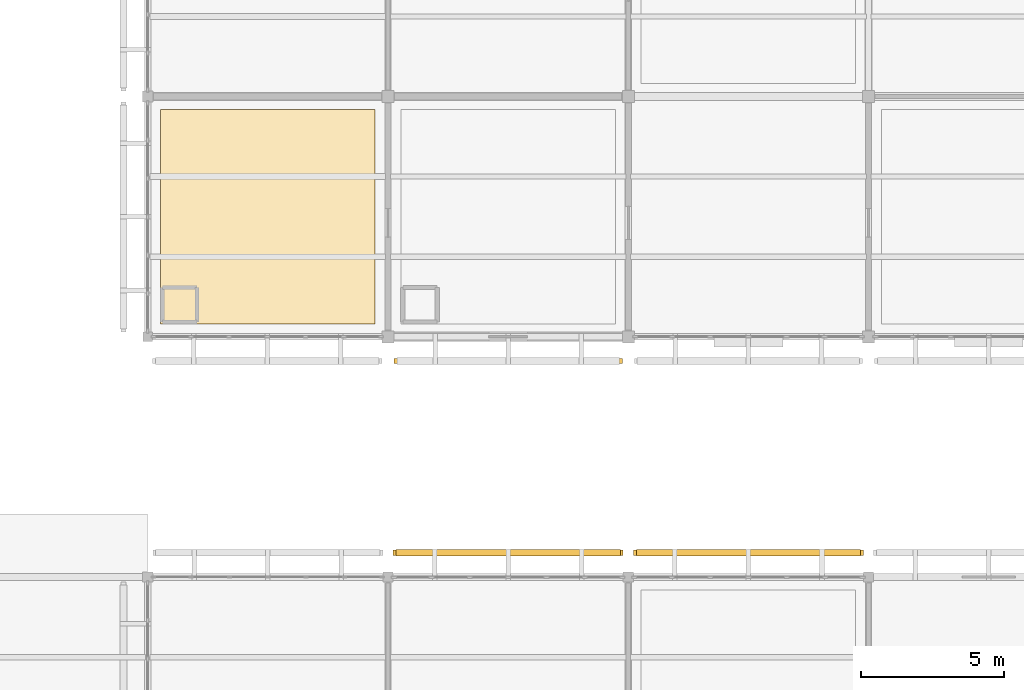
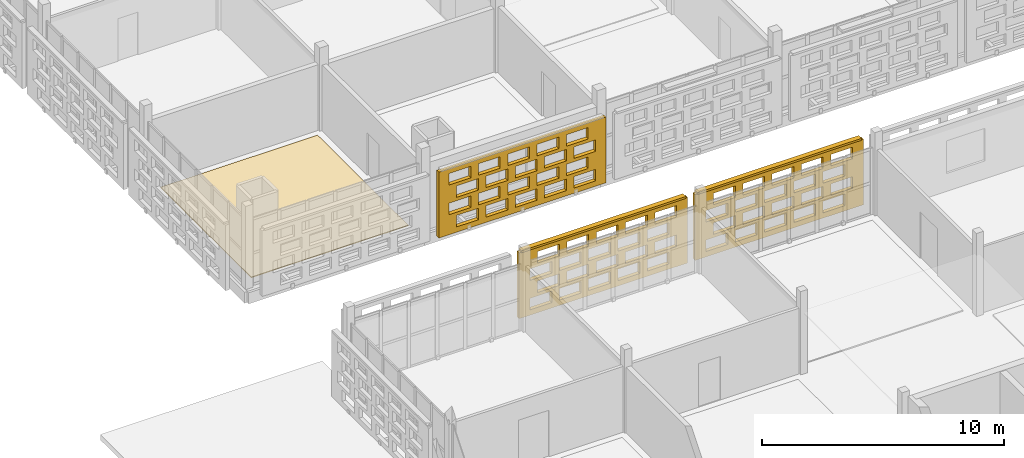
# One storey, part 156 of 166: 4 coverings, 2 shading devices, 60 openings.
"""IFC4 building model written with IfcOpenShell, lengths in metres."""

from ifc_helpers import new_model, si_unit, direction, frame, frame_2d, origin, origin_2d, place, context, subcontext, project, spatial, rectangle, extrude, material, layer, layer_set, type_object, element, save


model = new_model("IFC4")

# Units and contexts
model_context = context("Model", 3, precision=1e-05, world=origin(), true_north=direction((0.0, 1.0)))
body_context = subcontext(model_context, "Body", "Model", "MODEL_VIEW")
ifc_project = project(units=[si_unit("LENGTHUNIT", "METRE"), si_unit("AREAUNIT", "SQUARE_METRE"), si_unit("VOLUMEUNIT", "CUBIC_METRE"), si_unit("PLANEANGLEUNIT", "RADIAN"), si_unit("MASSUNIT", "GRAM", prefix="KILO")], contexts=[model_context])

# Site, building, storey
site_placement = place(None, origin())
site = spatial("IfcSite", under=ifc_project, at=site_placement, CompositionType="ELEMENT")
building_placement = place(site_placement, origin())
building = spatial("IfcBuilding", under=site, at=building_placement, Name="Varnapada Polytechnic", CompositionType="ELEMENT")
storey_placement = place(building_placement, frame((0.0, 0.0, 9.60009765625)))
storey = spatial("IfcBuildingStorey", under=building, at=storey_placement, Name="L02", CompositionType="ELEMENT", Elevation=9.60009765625)

# Covering
ifc_material_1 = material(Name="Acoustic Rubber Seminar Flooring")
ifc_layer_1 = layer(ifc_material_1, 0.0400390625)
ifc_layer_set_1 = layer_set([ifc_layer_1], Name="Acoustic Rubber Seminar Flooring")
covering_type_1 = type_object("IfcCoveringType", Name="Floor Finish FLR-06", PredefinedType="FLOORING", material=ifc_layer_set_1)
covering_1_placement = place(storey_placement, frame((138.60009765625, 63.0, 0.0), z_axis=(0.0, 0.0, 1.0), x_axis=(1.0, 0.0, 0.0)))
element("IfcCovering", 1, at=covering_1_placement, inside=storey, type_object=covering_type_1, Name="L02 floor finish panel (17,8)", PredefinedType="FLOORING", context=body_context, shape_type="SweptSolid", body=[
    extrude(rectangle(XDim=7.5, YDim=7.5, at=origin_2d()), origin(), (0.0, 0.0, 1.0), 0.0400390625),
])

# Covering, openings
ifc_material_2 = material(Name="Earth-toned architectural terracotta screen block", Category="masonry")
ifc_layer_2 = layer(ifc_material_2, 0.1201171875)
ifc_layer_set_2 = layer_set([ifc_layer_2], Name="Earth-toned architectural terracotta screen block")
covering_type_2 = type_object("IfcCoveringType", Name="Terracotta Screen Cladding CLD-01", PredefinedType="CLADDING", material=ifc_layer_set_2)
covering_2_placement = place(storey_placement, frame((142.97998046875, 51.25, 0.0), z_axis=(0.0, 0.0, 1.0), x_axis=(1.0, 0.0, 0.0)))
covering_2 = element("IfcCovering", 2, at=covering_2_placement, inside=storey, type_object=covering_type_2, Name="L02 perforated terracotta block screen (92)", PredefinedType="CLADDING", context=body_context, shape_type="SweptSolid", body=[
    extrude(rectangle(XDim=8.0400390625, YDim=0.179931640625, at=frame_2d((4.02001953125, 0.0))), origin(), (0.0, 0.0, 1.0), 3.31982421875),
])
opening_1_placement = place(covering_2_placement, frame((0.52001953125, 0.0, 0.265625)))
element("IfcOpeningElement", 3, at=opening_1_placement, cuts=covering_2, Name="Screen perforation TBS-L02-091.1", PredefinedType="OPENING", context=body_context, shape_type="SweptSolid", body=[
    extrude(rectangle(XDim=1.0400390625, YDim=0.5810546875, at=frame_2d((0.52001953125, 0.29052734375))), frame((0.0, 0.099853515625, 0.0), z_axis=(0.0, -1.0, 0.0), x_axis=(1.0, 0.0, 0.0)), (0.0, 0.0, 1.0), 0.199951171875),
])
opening_2_placement = place(covering_2_placement, frame((1.919921875, 0.0, 0.265625)))
element("IfcOpeningElement", 4, at=opening_2_placement, cuts=covering_2, Name="Screen perforation TBS-L02-091.2", PredefinedType="OPENING", context=body_context, shape_type="SweptSolid", body=[
    extrude(rectangle(XDim=1.0400390625, YDim=0.5810546875, at=frame_2d((0.52001953125, 0.29052734375))), frame((0.0, 0.099853515625, 0.0), z_axis=(0.0, -1.0, 0.0), x_axis=(1.0, 0.0, 0.0)), (0.0, 0.0, 1.0), 0.199951171875),
])
opening_3_placement = place(covering_2_placement, frame((3.320068359375, 0.0, 0.265625)))
element("IfcOpeningElement", 5, at=opening_3_placement, cuts=covering_2, Name="Screen perforation TBS-L02-091.3", PredefinedType="OPENING", context=body_context, shape_type="SweptSolid", body=[
    extrude(rectangle(XDim=1.0400390625, YDim=0.5810546875, at=frame_2d((0.52001953125, 0.29052734375))), frame((0.0, 0.099853515625, 0.0), z_axis=(0.0, -1.0, 0.0), x_axis=(1.0, 0.0, 0.0)), (0.0, 0.0, 1.0), 0.199951171875),
])
opening_4_placement = place(covering_2_placement, frame((4.719970703125, 0.0, 0.265625)))
element("IfcOpeningElement", 6, at=opening_4_placement, cuts=covering_2, Name="Screen perforation TBS-L02-091.4", PredefinedType="OPENING", context=body_context, shape_type="SweptSolid", body=[
    extrude(rectangle(XDim=1.0400390625, YDim=0.5810546875, at=frame_2d((0.52001953125, 0.29052734375))), frame((0.0, 0.099853515625, 0.0), z_axis=(0.0, -1.0, 0.0), x_axis=(1.0, 0.0, 0.0)), (0.0, 0.0, 1.0), 0.199951171875),
])
opening_5_placement = place(covering_2_placement, frame((6.1201171875, 0.0, 0.265625)))
element("IfcOpeningElement", 7, at=opening_5_placement, cuts=covering_2, Name="Screen perforation TBS-L02-091.5", PredefinedType="OPENING", context=body_context, shape_type="SweptSolid", body=[
    extrude(rectangle(XDim=1.0400390625, YDim=0.5810546875, at=frame_2d((0.52001953125, 0.29052734375))), frame((0.0, 0.099853515625, 0.0), z_axis=(0.0, -1.0, 0.0), x_axis=(1.0, 0.0, 0.0)), (0.0, 0.0, 1.0), 0.199951171875),
])
opening_6_placement = place(covering_2_placement, frame((0.8798828125, 0.0, 1.0126953125)))
element("IfcOpeningElement", 8, at=opening_6_placement, cuts=covering_2, Name="Screen perforation TBS-L02-091.6", PredefinedType="OPENING", context=body_context, shape_type="SweptSolid", body=[
    extrude(rectangle(XDim=1.0400390625, YDim=0.5810546875, at=frame_2d((0.52001953125, 0.29052734375))), frame((0.0, 0.099853515625, 0.0), z_axis=(0.0, -1.0, 0.0), x_axis=(1.0, 0.0, 0.0)), (0.0, 0.0, 1.0), 0.199951171875),
])
opening_7_placement = place(covering_2_placement, frame((2.280029296875, 0.0, 1.0126953125)))
element("IfcOpeningElement", 9, at=opening_7_placement, cuts=covering_2, Name="Screen perforation TBS-L02-091.7", PredefinedType="OPENING", context=body_context, shape_type="SweptSolid", body=[
    extrude(rectangle(XDim=1.0400390625, YDim=0.5810546875, at=frame_2d((0.52001953125, 0.29052734375))), frame((0.0, 0.099853515625, 0.0), z_axis=(0.0, -1.0, 0.0), x_axis=(1.0, 0.0, 0.0)), (0.0, 0.0, 1.0), 0.199951171875),
])
opening_8_placement = place(covering_2_placement, frame((3.679931640625, 0.0, 1.0126953125)))
element("IfcOpeningElement", 10, at=opening_8_placement, cuts=covering_2, Name="Screen perforation TBS-L02-091.8", PredefinedType="OPENING", context=body_context, shape_type="SweptSolid", body=[
    extrude(rectangle(XDim=1.0400390625, YDim=0.5810546875, at=frame_2d((0.52001953125, 0.29052734375))), frame((0.0, 0.099853515625, 0.0), z_axis=(0.0, -1.0, 0.0), x_axis=(1.0, 0.0, 0.0)), (0.0, 0.0, 1.0), 0.199951171875),
])
opening_9_placement = place(covering_2_placement, frame((5.080078125, 0.0, 1.0126953125)))
element("IfcOpeningElement", 11, at=opening_9_placement, cuts=covering_2, Name="Screen perforation TBS-L02-091.9", PredefinedType="OPENING", context=body_context, shape_type="SweptSolid", body=[
    extrude(rectangle(XDim=1.0400390625, YDim=0.5810546875, at=frame_2d((0.52001953125, 0.29052734375))), frame((0.0, 0.099853515625, 0.0), z_axis=(0.0, -1.0, 0.0), x_axis=(1.0, 0.0, 0.0)), (0.0, 0.0, 1.0), 0.199951171875),
])
opening_10_placement = place(covering_2_placement, frame((6.47998046875, 0.0, 1.0126953125)))
element("IfcOpeningElement", 12, at=opening_10_placement, cuts=covering_2, Name="Screen perforation TBS-L02-091.10", PredefinedType="OPENING", context=body_context, shape_type="SweptSolid", body=[
    extrude(rectangle(XDim=1.0400390625, YDim=0.5810546875, at=frame_2d((0.52001953125, 0.29052734375))), frame((0.0, 0.099853515625, 0.0), z_axis=(0.0, -1.0, 0.0), x_axis=(1.0, 0.0, 0.0)), (0.0, 0.0, 1.0), 0.199951171875),
])
opening_11_placement = place(covering_2_placement, frame((0.52001953125, 0.0, 1.759521484375)))
element("IfcOpeningElement", 13, at=opening_11_placement, cuts=covering_2, Name="Screen perforation TBS-L02-091.11", PredefinedType="OPENING", context=body_context, shape_type="SweptSolid", body=[
    extrude(rectangle(XDim=1.0400390625, YDim=0.5810546875, at=frame_2d((0.52001953125, 0.29052734375))), frame((0.0, 0.099853515625, 0.0), z_axis=(0.0, -1.0, 0.0), x_axis=(1.0, 0.0, 0.0)), (0.0, 0.0, 1.0), 0.199951171875),
])
opening_12_placement = place(covering_2_placement, frame((1.919921875, 0.0, 1.759521484375)))
element("IfcOpeningElement", 14, at=opening_12_placement, cuts=covering_2, Name="Screen perforation TBS-L02-091.12", PredefinedType="OPENING", context=body_context, shape_type="SweptSolid", body=[
    extrude(rectangle(XDim=1.0400390625, YDim=0.5810546875, at=frame_2d((0.52001953125, 0.29052734375))), frame((0.0, 0.099853515625, 0.0), z_axis=(0.0, -1.0, 0.0), x_axis=(1.0, 0.0, 0.0)), (0.0, 0.0, 1.0), 0.199951171875),
])
opening_13_placement = place(covering_2_placement, frame((3.320068359375, 0.0, 1.759521484375)))
element("IfcOpeningElement", 15, at=opening_13_placement, cuts=covering_2, Name="Screen perforation TBS-L02-091.13", PredefinedType="OPENING", context=body_context, shape_type="SweptSolid", body=[
    extrude(rectangle(XDim=1.0400390625, YDim=0.5810546875, at=frame_2d((0.52001953125, 0.29052734375))), frame((0.0, 0.099853515625, 0.0), z_axis=(0.0, -1.0, 0.0), x_axis=(1.0, 0.0, 0.0)), (0.0, 0.0, 1.0), 0.199951171875),
])
opening_14_placement = place(covering_2_placement, frame((4.719970703125, 0.0, 1.759521484375)))
element("IfcOpeningElement", 16, at=opening_14_placement, cuts=covering_2, Name="Screen perforation TBS-L02-091.14", PredefinedType="OPENING", context=body_context, shape_type="SweptSolid", body=[
    extrude(rectangle(XDim=1.0400390625, YDim=0.5810546875, at=frame_2d((0.52001953125, 0.29052734375))), frame((0.0, 0.099853515625, 0.0), z_axis=(0.0, -1.0, 0.0), x_axis=(1.0, 0.0, 0.0)), (0.0, 0.0, 1.0), 0.199951171875),
])
opening_15_placement = place(covering_2_placement, frame((6.1201171875, 0.0, 1.759521484375)))
element("IfcOpeningElement", 17, at=opening_15_placement, cuts=covering_2, Name="Screen perforation TBS-L02-091.15", PredefinedType="OPENING", context=body_context, shape_type="SweptSolid", body=[
    extrude(rectangle(XDim=1.0400390625, YDim=0.5810546875, at=frame_2d((0.52001953125, 0.29052734375))), frame((0.0, 0.099853515625, 0.0), z_axis=(0.0, -1.0, 0.0), x_axis=(1.0, 0.0, 0.0)), (0.0, 0.0, 1.0), 0.199951171875),
])
opening_16_placement = place(covering_2_placement, frame((0.8798828125, 0.0, 2.506591796875)))
element("IfcOpeningElement", 18, at=opening_16_placement, cuts=covering_2, Name="Screen perforation TBS-L02-091.16", PredefinedType="OPENING", context=body_context, shape_type="SweptSolid", body=[
    extrude(rectangle(XDim=1.0400390625, YDim=0.5810546875, at=frame_2d((0.52001953125, 0.29052734375))), frame((0.0, 0.099853515625, 0.0), z_axis=(0.0, -1.0, 0.0), x_axis=(1.0, 0.0, 0.0)), (0.0, 0.0, 1.0), 0.199951171875),
])
opening_17_placement = place(covering_2_placement, frame((2.280029296875, 0.0, 2.506591796875)))
element("IfcOpeningElement", 19, at=opening_17_placement, cuts=covering_2, Name="Screen perforation TBS-L02-091.17", PredefinedType="OPENING", context=body_context, shape_type="SweptSolid", body=[
    extrude(rectangle(XDim=1.0400390625, YDim=0.5810546875, at=frame_2d((0.52001953125, 0.29052734375))), frame((0.0, 0.099853515625, 0.0), z_axis=(0.0, -1.0, 0.0), x_axis=(1.0, 0.0, 0.0)), (0.0, 0.0, 1.0), 0.199951171875),
])
opening_18_placement = place(covering_2_placement, frame((3.679931640625, 0.0, 2.506591796875)))
element("IfcOpeningElement", 20, at=opening_18_placement, cuts=covering_2, Name="Screen perforation TBS-L02-091.18", PredefinedType="OPENING", context=body_context, shape_type="SweptSolid", body=[
    extrude(rectangle(XDim=1.0400390625, YDim=0.5810546875, at=frame_2d((0.52001953125, 0.29052734375))), frame((0.0, 0.099853515625, 0.0), z_axis=(0.0, -1.0, 0.0), x_axis=(1.0, 0.0, 0.0)), (0.0, 0.0, 1.0), 0.199951171875),
])
opening_19_placement = place(covering_2_placement, frame((5.080078125, 0.0, 2.506591796875)))
element("IfcOpeningElement", 21, at=opening_19_placement, cuts=covering_2, Name="Screen perforation TBS-L02-091.19", PredefinedType="OPENING", context=body_context, shape_type="SweptSolid", body=[
    extrude(rectangle(XDim=1.0400390625, YDim=0.5810546875, at=frame_2d((0.52001953125, 0.29052734375))), frame((0.0, 0.099853515625, 0.0), z_axis=(0.0, -1.0, 0.0), x_axis=(1.0, 0.0, 0.0)), (0.0, 0.0, 1.0), 0.199951171875),
])
opening_20_placement = place(covering_2_placement, frame((6.47998046875, 0.0, 2.506591796875)))
element("IfcOpeningElement", 22, at=opening_20_placement, cuts=covering_2, Name="Screen perforation TBS-L02-091.20", PredefinedType="OPENING", context=body_context, shape_type="SweptSolid", body=[
    extrude(rectangle(XDim=1.0400390625, YDim=0.5810546875, at=frame_2d((0.52001953125, 0.29052734375))), frame((0.0, 0.099853515625, 0.0), z_axis=(0.0, -1.0, 0.0), x_axis=(1.0, 0.0, 0.0)), (0.0, 0.0, 1.0), 0.199951171875),
])

covering_3_placement = place(storey_placement, frame((150.989990234375, 57.949951171875, 0.0), z_axis=(0.0, 0.0, 1.0), x_axis=(-1.0, 0.0, 0.0)))
covering_3 = element("IfcCovering", 23, at=covering_3_placement, inside=storey, type_object=covering_type_2, Name="L02 perforated terracotta block screen (93)", PredefinedType="CLADDING", context=body_context, shape_type="SweptSolid", body=[
    extrude(rectangle(XDim=7.97998046875, YDim=0.179931640625, at=frame_2d((3.989990234375, 0.0))), origin(), (0.0, 0.0, 1.0), 3.31982421875),
])
opening_21_placement = place(covering_3_placement, frame((0.489990234375, 0.0, 0.265625)))
element("IfcOpeningElement", 24, at=opening_21_placement, cuts=covering_3, Name="Screen perforation TBS-L02-092.1", PredefinedType="OPENING", context=body_context, shape_type="SweptSolid", body=[
    extrude(rectangle(XDim=1.0400390625, YDim=0.5810546875, at=frame_2d((0.52001953125, 0.29052734375))), frame((0.0, 0.099853515625, 0.0), z_axis=(0.0, -1.0, 0.0), x_axis=(1.0, 0.0, 0.0)), (0.0, 0.0, 1.0), 0.199951171875),
])
opening_22_placement = place(covering_3_placement, frame((1.889892578125, 0.0, 0.265625)))
element("IfcOpeningElement", 25, at=opening_22_placement, cuts=covering_3, Name="Screen perforation TBS-L02-092.2", PredefinedType="OPENING", context=body_context, shape_type="SweptSolid", body=[
    extrude(rectangle(XDim=1.0400390625, YDim=0.5810546875, at=frame_2d((0.52001953125, 0.29052734375))), frame((0.0, 0.099853515625, 0.0), z_axis=(0.0, -1.0, 0.0), x_axis=(1.0, 0.0, 0.0)), (0.0, 0.0, 1.0), 0.199951171875),
])
opening_23_placement = place(covering_3_placement, frame((3.2900390625, 0.0, 0.265625)))
element("IfcOpeningElement", 26, at=opening_23_placement, cuts=covering_3, Name="Screen perforation TBS-L02-092.3", PredefinedType="OPENING", context=body_context, shape_type="SweptSolid", body=[
    extrude(rectangle(XDim=1.0400390625, YDim=0.5810546875, at=frame_2d((0.52001953125, 0.29052734375))), frame((0.0, 0.099853515625, 0.0), z_axis=(0.0, -1.0, 0.0), x_axis=(1.0, 0.0, 0.0)), (0.0, 0.0, 1.0), 0.199951171875),
])
opening_24_placement = place(covering_3_placement, frame((4.68994140625, 0.0, 0.265625)))
element("IfcOpeningElement", 27, at=opening_24_placement, cuts=covering_3, Name="Screen perforation TBS-L02-092.4", PredefinedType="OPENING", context=body_context, shape_type="SweptSolid", body=[
    extrude(rectangle(XDim=1.0400390625, YDim=0.5810546875, at=frame_2d((0.52001953125, 0.29052734375))), frame((0.0, 0.099853515625, 0.0), z_axis=(0.0, -1.0, 0.0), x_axis=(1.0, 0.0, 0.0)), (0.0, 0.0, 1.0), 0.199951171875),
])
opening_25_placement = place(covering_3_placement, frame((6.090087890625, 0.0, 0.265625)))
element("IfcOpeningElement", 28, at=opening_25_placement, cuts=covering_3, Name="Screen perforation TBS-L02-092.5", PredefinedType="OPENING", context=body_context, shape_type="SweptSolid", body=[
    extrude(rectangle(XDim=1.0400390625, YDim=0.5810546875, at=frame_2d((0.52001953125, 0.29052734375))), frame((0.0, 0.099853515625, 0.0), z_axis=(0.0, -1.0, 0.0), x_axis=(1.0, 0.0, 0.0)), (0.0, 0.0, 1.0), 0.199951171875),
])
opening_26_placement = place(covering_3_placement, frame((0.85009765625, 0.0, 1.0126953125)))
element("IfcOpeningElement", 29, at=opening_26_placement, cuts=covering_3, Name="Screen perforation TBS-L02-092.6", PredefinedType="OPENING", context=body_context, shape_type="SweptSolid", body=[
    extrude(rectangle(XDim=1.0400390625, YDim=0.5810546875, at=frame_2d((0.52001953125, 0.29052734375))), frame((0.0, 0.099853515625, 0.0), z_axis=(0.0, -1.0, 0.0), x_axis=(1.0, 0.0, 0.0)), (0.0, 0.0, 1.0), 0.199951171875),
])
opening_27_placement = place(covering_3_placement, frame((2.25, 0.0, 1.0126953125)))
element("IfcOpeningElement", 30, at=opening_27_placement, cuts=covering_3, Name="Screen perforation TBS-L02-092.7", PredefinedType="OPENING", context=body_context, shape_type="SweptSolid", body=[
    extrude(rectangle(XDim=1.0400390625, YDim=0.5810546875, at=frame_2d((0.52001953125, 0.29052734375))), frame((0.0, 0.099853515625, 0.0), z_axis=(0.0, -1.0, 0.0), x_axis=(1.0, 0.0, 0.0)), (0.0, 0.0, 1.0), 0.199951171875),
])
opening_28_placement = place(covering_3_placement, frame((3.64990234375, 0.0, 1.0126953125)))
element("IfcOpeningElement", 31, at=opening_28_placement, cuts=covering_3, Name="Screen perforation TBS-L02-092.8", PredefinedType="OPENING", context=body_context, shape_type="SweptSolid", body=[
    extrude(rectangle(XDim=1.0400390625, YDim=0.5810546875, at=frame_2d((0.52001953125, 0.29052734375))), frame((0.0, 0.099853515625, 0.0), z_axis=(0.0, -1.0, 0.0), x_axis=(1.0, 0.0, 0.0)), (0.0, 0.0, 1.0), 0.199951171875),
])
opening_29_placement = place(covering_3_placement, frame((5.050048828125, 0.0, 1.0126953125)))
element("IfcOpeningElement", 32, at=opening_29_placement, cuts=covering_3, Name="Screen perforation TBS-L02-092.9", PredefinedType="OPENING", context=body_context, shape_type="SweptSolid", body=[
    extrude(rectangle(XDim=1.0400390625, YDim=0.5810546875, at=frame_2d((0.52001953125, 0.29052734375))), frame((0.0, 0.099853515625, 0.0), z_axis=(0.0, -1.0, 0.0), x_axis=(1.0, 0.0, 0.0)), (0.0, 0.0, 1.0), 0.199951171875),
])
opening_30_placement = place(covering_3_placement, frame((6.449951171875, 0.0, 1.0126953125)))
element("IfcOpeningElement", 33, at=opening_30_placement, cuts=covering_3, Name="Screen perforation TBS-L02-092.10", PredefinedType="OPENING", context=body_context, shape_type="SweptSolid", body=[
    extrude(rectangle(XDim=1.0400390625, YDim=0.5810546875, at=frame_2d((0.52001953125, 0.29052734375))), frame((0.0, 0.099853515625, 0.0), z_axis=(0.0, -1.0, 0.0), x_axis=(1.0, 0.0, 0.0)), (0.0, 0.0, 1.0), 0.199951171875),
])
opening_31_placement = place(covering_3_placement, frame((0.489990234375, 0.0, 1.759521484375)))
element("IfcOpeningElement", 34, at=opening_31_placement, cuts=covering_3, Name="Screen perforation TBS-L02-092.11", PredefinedType="OPENING", context=body_context, shape_type="SweptSolid", body=[
    extrude(rectangle(XDim=1.0400390625, YDim=0.5810546875, at=frame_2d((0.52001953125, 0.29052734375))), frame((0.0, 0.099853515625, 0.0), z_axis=(0.0, -1.0, 0.0), x_axis=(1.0, 0.0, 0.0)), (0.0, 0.0, 1.0), 0.199951171875),
])
opening_32_placement = place(covering_3_placement, frame((1.889892578125, 0.0, 1.759521484375)))
element("IfcOpeningElement", 35, at=opening_32_placement, cuts=covering_3, Name="Screen perforation TBS-L02-092.12", PredefinedType="OPENING", context=body_context, shape_type="SweptSolid", body=[
    extrude(rectangle(XDim=1.0400390625, YDim=0.5810546875, at=frame_2d((0.52001953125, 0.29052734375))), frame((0.0, 0.099853515625, 0.0), z_axis=(0.0, -1.0, 0.0), x_axis=(1.0, 0.0, 0.0)), (0.0, 0.0, 1.0), 0.199951171875),
])
opening_33_placement = place(covering_3_placement, frame((3.2900390625, 0.0, 1.759521484375)))
element("IfcOpeningElement", 36, at=opening_33_placement, cuts=covering_3, Name="Screen perforation TBS-L02-092.13", PredefinedType="OPENING", context=body_context, shape_type="SweptSolid", body=[
    extrude(rectangle(XDim=1.0400390625, YDim=0.5810546875, at=frame_2d((0.52001953125, 0.29052734375))), frame((0.0, 0.099853515625, 0.0), z_axis=(0.0, -1.0, 0.0), x_axis=(1.0, 0.0, 0.0)), (0.0, 0.0, 1.0), 0.199951171875),
])
opening_34_placement = place(covering_3_placement, frame((4.68994140625, 0.0, 1.759521484375)))
element("IfcOpeningElement", 37, at=opening_34_placement, cuts=covering_3, Name="Screen perforation TBS-L02-092.14", PredefinedType="OPENING", context=body_context, shape_type="SweptSolid", body=[
    extrude(rectangle(XDim=1.0400390625, YDim=0.5810546875, at=frame_2d((0.52001953125, 0.29052734375))), frame((0.0, 0.099853515625, 0.0), z_axis=(0.0, -1.0, 0.0), x_axis=(1.0, 0.0, 0.0)), (0.0, 0.0, 1.0), 0.199951171875),
])
opening_35_placement = place(covering_3_placement, frame((6.090087890625, 0.0, 1.759521484375)))
element("IfcOpeningElement", 38, at=opening_35_placement, cuts=covering_3, Name="Screen perforation TBS-L02-092.15", PredefinedType="OPENING", context=body_context, shape_type="SweptSolid", body=[
    extrude(rectangle(XDim=1.0400390625, YDim=0.5810546875, at=frame_2d((0.52001953125, 0.29052734375))), frame((0.0, 0.099853515625, 0.0), z_axis=(0.0, -1.0, 0.0), x_axis=(1.0, 0.0, 0.0)), (0.0, 0.0, 1.0), 0.199951171875),
])
opening_36_placement = place(covering_3_placement, frame((0.85009765625, 0.0, 2.506591796875)))
element("IfcOpeningElement", 39, at=opening_36_placement, cuts=covering_3, Name="Screen perforation TBS-L02-092.16", PredefinedType="OPENING", context=body_context, shape_type="SweptSolid", body=[
    extrude(rectangle(XDim=1.0400390625, YDim=0.5810546875, at=frame_2d((0.52001953125, 0.29052734375))), frame((0.0, 0.099853515625, 0.0), z_axis=(0.0, -1.0, 0.0), x_axis=(1.0, 0.0, 0.0)), (0.0, 0.0, 1.0), 0.199951171875),
])
opening_37_placement = place(covering_3_placement, frame((2.25, 0.0, 2.506591796875)))
element("IfcOpeningElement", 40, at=opening_37_placement, cuts=covering_3, Name="Screen perforation TBS-L02-092.17", PredefinedType="OPENING", context=body_context, shape_type="SweptSolid", body=[
    extrude(rectangle(XDim=1.0400390625, YDim=0.5810546875, at=frame_2d((0.52001953125, 0.29052734375))), frame((0.0, 0.099853515625, 0.0), z_axis=(0.0, -1.0, 0.0), x_axis=(1.0, 0.0, 0.0)), (0.0, 0.0, 1.0), 0.199951171875),
])
opening_38_placement = place(covering_3_placement, frame((3.64990234375, 0.0, 2.506591796875)))
element("IfcOpeningElement", 41, at=opening_38_placement, cuts=covering_3, Name="Screen perforation TBS-L02-092.18", PredefinedType="OPENING", context=body_context, shape_type="SweptSolid", body=[
    extrude(rectangle(XDim=1.0400390625, YDim=0.5810546875, at=frame_2d((0.52001953125, 0.29052734375))), frame((0.0, 0.099853515625, 0.0), z_axis=(0.0, -1.0, 0.0), x_axis=(1.0, 0.0, 0.0)), (0.0, 0.0, 1.0), 0.199951171875),
])
opening_39_placement = place(covering_3_placement, frame((5.050048828125, 0.0, 2.506591796875)))
element("IfcOpeningElement", 42, at=opening_39_placement, cuts=covering_3, Name="Screen perforation TBS-L02-092.19", PredefinedType="OPENING", context=body_context, shape_type="SweptSolid", body=[
    extrude(rectangle(XDim=1.0400390625, YDim=0.5810546875, at=frame_2d((0.52001953125, 0.29052734375))), frame((0.0, 0.099853515625, 0.0), z_axis=(0.0, -1.0, 0.0), x_axis=(1.0, 0.0, 0.0)), (0.0, 0.0, 1.0), 0.199951171875),
])
opening_40_placement = place(covering_3_placement, frame((6.449951171875, 0.0, 2.506591796875)))
element("IfcOpeningElement", 43, at=opening_40_placement, cuts=covering_3, Name="Screen perforation TBS-L02-092.20", PredefinedType="OPENING", context=body_context, shape_type="SweptSolid", body=[
    extrude(rectangle(XDim=1.0400390625, YDim=0.5810546875, at=frame_2d((0.52001953125, 0.29052734375))), frame((0.0, 0.099853515625, 0.0), z_axis=(0.0, -1.0, 0.0), x_axis=(1.0, 0.0, 0.0)), (0.0, 0.0, 1.0), 0.199951171875),
])

covering_4_placement = place(storey_placement, frame((151.3798828125, 51.25, 0.0), z_axis=(0.0, 0.0, 1.0), x_axis=(1.0, 0.0, 0.0)))
covering_4 = element("IfcCovering", 44, at=covering_4_placement, inside=storey, type_object=covering_type_2, Name="L02 perforated terracotta block screen (96)", PredefinedType="CLADDING", context=body_context, shape_type="SweptSolid", body=[
    extrude(rectangle(XDim=8.0400390625, YDim=0.179931640625, at=frame_2d((4.02001953125, 0.0))), origin(), (0.0, 0.0, 1.0), 3.31982421875),
])
opening_41_placement = place(covering_4_placement, frame((0.52001953125, 0.0, 0.265625)))
element("IfcOpeningElement", 45, at=opening_41_placement, cuts=covering_4, Name="Screen perforation TBS-L02-095.1", PredefinedType="OPENING", context=body_context, shape_type="SweptSolid", body=[
    extrude(rectangle(XDim=1.0400390625, YDim=0.5810546875, at=frame_2d((0.52001953125, 0.29052734375))), frame((0.0, 0.099853515625, 0.0), z_axis=(0.0, -1.0, 0.0), x_axis=(1.0, 0.0, 0.0)), (0.0, 0.0, 1.0), 0.199951171875),
])
opening_42_placement = place(covering_4_placement, frame((1.919921875, 0.0, 0.265625)))
element("IfcOpeningElement", 46, at=opening_42_placement, cuts=covering_4, Name="Screen perforation TBS-L02-095.2", PredefinedType="OPENING", context=body_context, shape_type="SweptSolid", body=[
    extrude(rectangle(XDim=1.0400390625, YDim=0.5810546875, at=frame_2d((0.52001953125, 0.29052734375))), frame((0.0, 0.099853515625, 0.0), z_axis=(0.0, -1.0, 0.0), x_axis=(1.0, 0.0, 0.0)), (0.0, 0.0, 1.0), 0.199951171875),
])
opening_43_placement = place(covering_4_placement, frame((3.320068359375, 0.0, 0.265625)))
element("IfcOpeningElement", 47, at=opening_43_placement, cuts=covering_4, Name="Screen perforation TBS-L02-095.3", PredefinedType="OPENING", context=body_context, shape_type="SweptSolid", body=[
    extrude(rectangle(XDim=1.0400390625, YDim=0.5810546875, at=frame_2d((0.52001953125, 0.29052734375))), frame((0.0, 0.099853515625, 0.0), z_axis=(0.0, -1.0, 0.0), x_axis=(1.0, 0.0, 0.0)), (0.0, 0.0, 1.0), 0.199951171875),
])
opening_44_placement = place(covering_4_placement, frame((4.719970703125, 0.0, 0.265625)))
element("IfcOpeningElement", 48, at=opening_44_placement, cuts=covering_4, Name="Screen perforation TBS-L02-095.4", PredefinedType="OPENING", context=body_context, shape_type="SweptSolid", body=[
    extrude(rectangle(XDim=1.0400390625, YDim=0.5810546875, at=frame_2d((0.52001953125, 0.29052734375))), frame((0.0, 0.099853515625, 0.0), z_axis=(0.0, -1.0, 0.0), x_axis=(1.0, 0.0, 0.0)), (0.0, 0.0, 1.0), 0.199951171875),
])
opening_45_placement = place(covering_4_placement, frame((6.1201171875, 0.0, 0.265625)))
element("IfcOpeningElement", 49, at=opening_45_placement, cuts=covering_4, Name="Screen perforation TBS-L02-095.5", PredefinedType="OPENING", context=body_context, shape_type="SweptSolid", body=[
    extrude(rectangle(XDim=1.0400390625, YDim=0.5810546875, at=frame_2d((0.52001953125, 0.29052734375))), frame((0.0, 0.099853515625, 0.0), z_axis=(0.0, -1.0, 0.0), x_axis=(1.0, 0.0, 0.0)), (0.0, 0.0, 1.0), 0.199951171875),
])
opening_46_placement = place(covering_4_placement, frame((0.8798828125, 0.0, 1.0126953125)))
element("IfcOpeningElement", 50, at=opening_46_placement, cuts=covering_4, Name="Screen perforation TBS-L02-095.6", PredefinedType="OPENING", context=body_context, shape_type="SweptSolid", body=[
    extrude(rectangle(XDim=1.0400390625, YDim=0.5810546875, at=frame_2d((0.52001953125, 0.29052734375))), frame((0.0, 0.099853515625, 0.0), z_axis=(0.0, -1.0, 0.0), x_axis=(1.0, 0.0, 0.0)), (0.0, 0.0, 1.0), 0.199951171875),
])
opening_47_placement = place(covering_4_placement, frame((2.280029296875, 0.0, 1.0126953125)))
element("IfcOpeningElement", 51, at=opening_47_placement, cuts=covering_4, Name="Screen perforation TBS-L02-095.7", PredefinedType="OPENING", context=body_context, shape_type="SweptSolid", body=[
    extrude(rectangle(XDim=1.0400390625, YDim=0.5810546875, at=frame_2d((0.52001953125, 0.29052734375))), frame((0.0, 0.099853515625, 0.0), z_axis=(0.0, -1.0, 0.0), x_axis=(1.0, 0.0, 0.0)), (0.0, 0.0, 1.0), 0.199951171875),
])
opening_48_placement = place(covering_4_placement, frame((3.679931640625, 0.0, 1.0126953125)))
element("IfcOpeningElement", 52, at=opening_48_placement, cuts=covering_4, Name="Screen perforation TBS-L02-095.8", PredefinedType="OPENING", context=body_context, shape_type="SweptSolid", body=[
    extrude(rectangle(XDim=1.0400390625, YDim=0.5810546875, at=frame_2d((0.52001953125, 0.29052734375))), frame((0.0, 0.099853515625, 0.0), z_axis=(0.0, -1.0, 0.0), x_axis=(1.0, 0.0, 0.0)), (0.0, 0.0, 1.0), 0.199951171875),
])
opening_49_placement = place(covering_4_placement, frame((5.080078125, 0.0, 1.0126953125)))
element("IfcOpeningElement", 53, at=opening_49_placement, cuts=covering_4, Name="Screen perforation TBS-L02-095.9", PredefinedType="OPENING", context=body_context, shape_type="SweptSolid", body=[
    extrude(rectangle(XDim=1.0400390625, YDim=0.5810546875, at=frame_2d((0.52001953125, 0.29052734375))), frame((0.0, 0.099853515625, 0.0), z_axis=(0.0, -1.0, 0.0), x_axis=(1.0, 0.0, 0.0)), (0.0, 0.0, 1.0), 0.199951171875),
])
opening_50_placement = place(covering_4_placement, frame((6.47998046875, 0.0, 1.0126953125)))
element("IfcOpeningElement", 54, at=opening_50_placement, cuts=covering_4, Name="Screen perforation TBS-L02-095.10", PredefinedType="OPENING", context=body_context, shape_type="SweptSolid", body=[
    extrude(rectangle(XDim=1.0400390625, YDim=0.5810546875, at=frame_2d((0.52001953125, 0.29052734375))), frame((0.0, 0.099853515625, 0.0), z_axis=(0.0, -1.0, 0.0), x_axis=(1.0, 0.0, 0.0)), (0.0, 0.0, 1.0), 0.199951171875),
])
opening_51_placement = place(covering_4_placement, frame((0.52001953125, 0.0, 1.759521484375)))
element("IfcOpeningElement", 55, at=opening_51_placement, cuts=covering_4, Name="Screen perforation TBS-L02-095.11", PredefinedType="OPENING", context=body_context, shape_type="SweptSolid", body=[
    extrude(rectangle(XDim=1.0400390625, YDim=0.5810546875, at=frame_2d((0.52001953125, 0.29052734375))), frame((0.0, 0.099853515625, 0.0), z_axis=(0.0, -1.0, 0.0), x_axis=(1.0, 0.0, 0.0)), (0.0, 0.0, 1.0), 0.199951171875),
])
opening_52_placement = place(covering_4_placement, frame((1.919921875, 0.0, 1.759521484375)))
element("IfcOpeningElement", 56, at=opening_52_placement, cuts=covering_4, Name="Screen perforation TBS-L02-095.12", PredefinedType="OPENING", context=body_context, shape_type="SweptSolid", body=[
    extrude(rectangle(XDim=1.0400390625, YDim=0.5810546875, at=frame_2d((0.52001953125, 0.29052734375))), frame((0.0, 0.099853515625, 0.0), z_axis=(0.0, -1.0, 0.0), x_axis=(1.0, 0.0, 0.0)), (0.0, 0.0, 1.0), 0.199951171875),
])
opening_53_placement = place(covering_4_placement, frame((3.320068359375, 0.0, 1.759521484375)))
element("IfcOpeningElement", 57, at=opening_53_placement, cuts=covering_4, Name="Screen perforation TBS-L02-095.13", PredefinedType="OPENING", context=body_context, shape_type="SweptSolid", body=[
    extrude(rectangle(XDim=1.0400390625, YDim=0.5810546875, at=frame_2d((0.52001953125, 0.29052734375))), frame((0.0, 0.099853515625, 0.0), z_axis=(0.0, -1.0, 0.0), x_axis=(1.0, 0.0, 0.0)), (0.0, 0.0, 1.0), 0.199951171875),
])
opening_54_placement = place(covering_4_placement, frame((4.719970703125, 0.0, 1.759521484375)))
element("IfcOpeningElement", 58, at=opening_54_placement, cuts=covering_4, Name="Screen perforation TBS-L02-095.14", PredefinedType="OPENING", context=body_context, shape_type="SweptSolid", body=[
    extrude(rectangle(XDim=1.0400390625, YDim=0.5810546875, at=frame_2d((0.52001953125, 0.29052734375))), frame((0.0, 0.099853515625, 0.0), z_axis=(0.0, -1.0, 0.0), x_axis=(1.0, 0.0, 0.0)), (0.0, 0.0, 1.0), 0.199951171875),
])
opening_55_placement = place(covering_4_placement, frame((6.1201171875, 0.0, 1.759521484375)))
element("IfcOpeningElement", 59, at=opening_55_placement, cuts=covering_4, Name="Screen perforation TBS-L02-095.15", PredefinedType="OPENING", context=body_context, shape_type="SweptSolid", body=[
    extrude(rectangle(XDim=1.0400390625, YDim=0.5810546875, at=frame_2d((0.52001953125, 0.29052734375))), frame((0.0, 0.099853515625, 0.0), z_axis=(0.0, -1.0, 0.0), x_axis=(1.0, 0.0, 0.0)), (0.0, 0.0, 1.0), 0.199951171875),
])
opening_56_placement = place(covering_4_placement, frame((0.8798828125, 0.0, 2.506591796875)))
element("IfcOpeningElement", 60, at=opening_56_placement, cuts=covering_4, Name="Screen perforation TBS-L02-095.16", PredefinedType="OPENING", context=body_context, shape_type="SweptSolid", body=[
    extrude(rectangle(XDim=1.0400390625, YDim=0.5810546875, at=frame_2d((0.52001953125, 0.29052734375))), frame((0.0, 0.099853515625, 0.0), z_axis=(0.0, -1.0, 0.0), x_axis=(1.0, 0.0, 0.0)), (0.0, 0.0, 1.0), 0.199951171875),
])
opening_57_placement = place(covering_4_placement, frame((2.280029296875, 0.0, 2.506591796875)))
element("IfcOpeningElement", 61, at=opening_57_placement, cuts=covering_4, Name="Screen perforation TBS-L02-095.17", PredefinedType="OPENING", context=body_context, shape_type="SweptSolid", body=[
    extrude(rectangle(XDim=1.0400390625, YDim=0.5810546875, at=frame_2d((0.52001953125, 0.29052734375))), frame((0.0, 0.099853515625, 0.0), z_axis=(0.0, -1.0, 0.0), x_axis=(1.0, 0.0, 0.0)), (0.0, 0.0, 1.0), 0.199951171875),
])
opening_58_placement = place(covering_4_placement, frame((3.679931640625, 0.0, 2.506591796875)))
element("IfcOpeningElement", 62, at=opening_58_placement, cuts=covering_4, Name="Screen perforation TBS-L02-095.18", PredefinedType="OPENING", context=body_context, shape_type="SweptSolid", body=[
    extrude(rectangle(XDim=1.0400390625, YDim=0.5810546875, at=frame_2d((0.52001953125, 0.29052734375))), frame((0.0, 0.099853515625, 0.0), z_axis=(0.0, -1.0, 0.0), x_axis=(1.0, 0.0, 0.0)), (0.0, 0.0, 1.0), 0.199951171875),
])
opening_59_placement = place(covering_4_placement, frame((5.080078125, 0.0, 2.506591796875)))
element("IfcOpeningElement", 63, at=opening_59_placement, cuts=covering_4, Name="Screen perforation TBS-L02-095.19", PredefinedType="OPENING", context=body_context, shape_type="SweptSolid", body=[
    extrude(rectangle(XDim=1.0400390625, YDim=0.5810546875, at=frame_2d((0.52001953125, 0.29052734375))), frame((0.0, 0.099853515625, 0.0), z_axis=(0.0, -1.0, 0.0), x_axis=(1.0, 0.0, 0.0)), (0.0, 0.0, 1.0), 0.199951171875),
])
opening_60_placement = place(covering_4_placement, frame((6.47998046875, 0.0, 2.506591796875)))
element("IfcOpeningElement", 64, at=opening_60_placement, cuts=covering_4, Name="Screen perforation TBS-L02-095.20", PredefinedType="OPENING", context=body_context, shape_type="SweptSolid", body=[
    extrude(rectangle(XDim=1.0400390625, YDim=0.5810546875, at=frame_2d((0.52001953125, 0.29052734375))), frame((0.0, 0.099853515625, 0.0), z_axis=(0.0, -1.0, 0.0), x_axis=(1.0, 0.0, 0.0)), (0.0, 0.0, 1.0), 0.199951171875),
])

# Shading devices
ifc_layer_3 = layer(ifc_material_2, 0.179931640625)
ifc_layer_set_3 = layer_set([ifc_layer_3], Name="Earth-toned architectural terracotta screen block")
shading_device_type = type_object("IfcShadingDeviceType", Name="Terracotta Screen SCR-01", PredefinedType="USERDEFINED", material=ifc_layer_set_3)
for number, where, z_axis, x_axis, name in (
    (65, (147.0, 51.25, 3.309814453125), (0.0, 0.0, 1.0), (1.0, 0.0, 0.0), "L02 perforated terracotta screen hood 316"),
    (66, (155.39990234375, 51.25, 3.309814453125), (0.0, 0.0, 1.0), (1.0, 0.0, 0.0), "L02 perforated terracotta screen hood 320"),
):
    element("IfcShadingDevice", number, at=place(storey_placement, frame(where, z_axis=z_axis, x_axis=x_axis)), inside=storey, type_object=shading_device_type, Name=name, ObjectType="SCREEN", PredefinedType="USERDEFINED", context=body_context, shape_type="SweptSolid", body=[
        extrude(rectangle(XDim=7.840087890625, YDim=0.239990234375, at=origin_2d()), origin(), (0.0, 0.0, 1.0), 0.10009765625),
    ])

save(model, "model.ifc")
